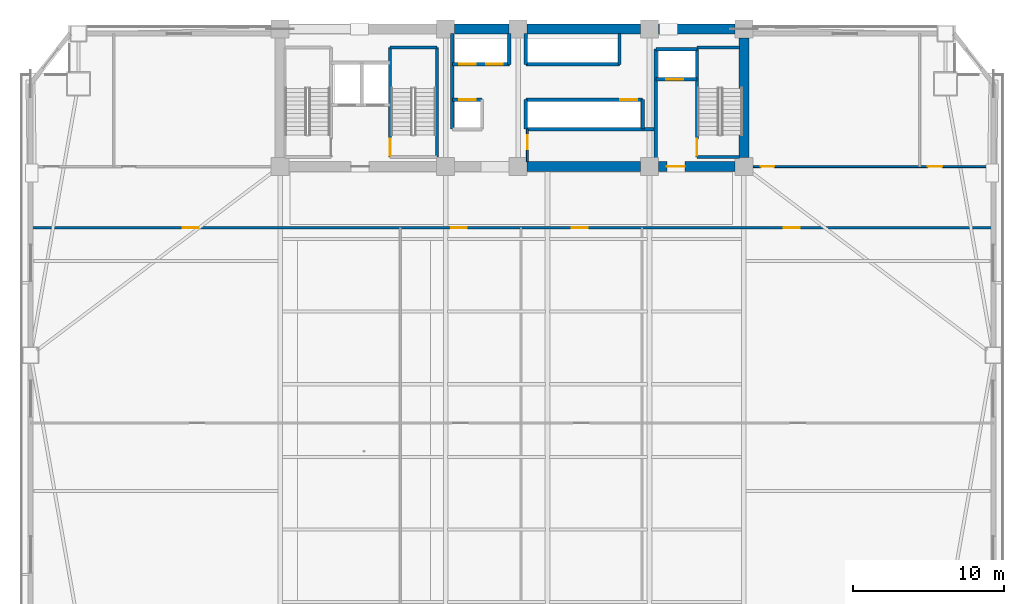
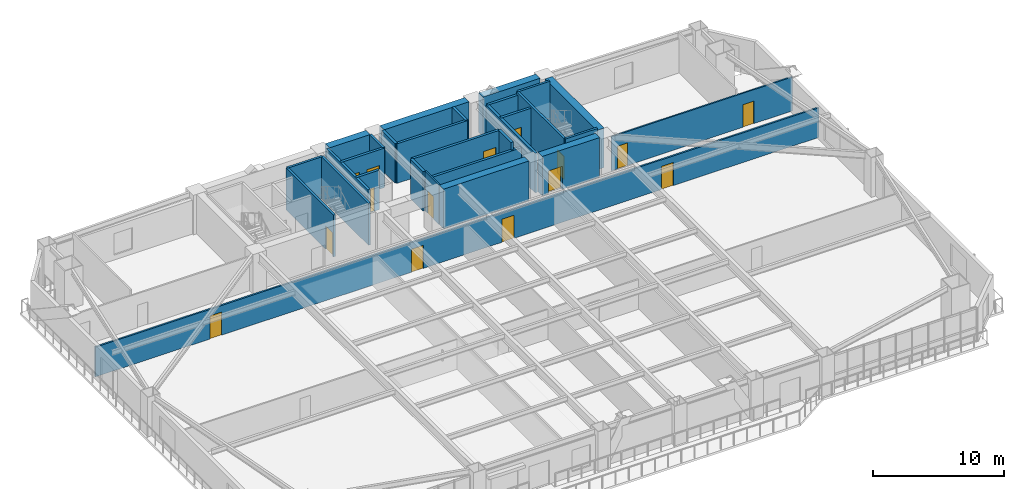
# One storey, part 10 of 17: 29 walls, 15 doors, 15 openings.
"""IFC4 building model written with IfcOpenShell, lengths in metres."""

from ifc_helpers import new_model, si_unit, direction, frame, frame_2d, origin, place, context, subcontext, project, spatial, rectangle, extrude, source, transform, mapped, material, layer, layer_set, type_object, element, fill, save


model = new_model("IFC4")

# Units and contexts
model_context = context("Model", 3, precision=1e-05, world=origin(), true_north=direction((0.0, 1.0)))
body_context = subcontext(model_context, "Body", "Model", "MODEL_VIEW")
ifc_project = project(units=[si_unit("LENGTHUNIT", "METRE"), si_unit("AREAUNIT", "SQUARE_METRE"), si_unit("VOLUMEUNIT", "CUBIC_METRE"), si_unit("PLANEANGLEUNIT", "RADIAN"), si_unit("MASSUNIT", "GRAM", prefix="KILO")], contexts=[model_context])

# Site, building, storey
site_placement = place(None, origin())
site = spatial("IfcSite", under=ifc_project, at=site_placement, CompositionType="ELEMENT")
building_placement = place(site_placement, origin())
building = spatial("IfcBuilding", under=site, at=building_placement, Name="Giltprow Tower", CompositionType="ELEMENT")
storey_placement = place(building_placement, frame((0.0, 0.0, 37.10009765625)))
storey = spatial("IfcBuildingStorey", under=building, at=storey_placement, Name="L09", CompositionType="ELEMENT", Elevation=37.10009765625)

# Wall, openings, doors
ifc_material_1 = material(Name="Gypsum stud partition", Category="gypsum")
ifc_layer_1 = layer(ifc_material_1, 0.14990234375, Name="Gypsum stud partition")
ifc_layer_set_1 = layer_set([ifc_layer_1], Name="Gypsum stud partition")
wall_type_1 = type_object("IfcWallType", Name="IW-CORR-150", PredefinedType="PARTITIONING", material=ifc_layer_set_1)
wall_1_placement = place(storey_placement, frame((3.3349609375, 33.39990234375, 0.0), z_axis=(0.0, 0.0, 1.0), x_axis=(1.0, 0.0, 0.0)))
wall_1 = element("IfcWall", 1, at=wall_1_placement, inside=storey, type_object=wall_type_1, Name="L09 Office Loop Corridor Wall", PredefinedType="PARTITIONING", context=body_context, shape_type="SweptSolid", body=[
    extrude(rectangle(XDim=63.72998046875, YDim=0.14990234375, at=frame_2d((31.864990234375, 0.0))), origin(), (0.0, 0.0, 1.0), 2.764892578125),
])
opening_1_placement = place(wall_1_placement, frame((10.072021484375, 0.0, 0.0)))
opening_1 = element("IfcOpeningElement", 2, at=opening_1_placement, cuts=wall_1, Name="Opening ID31", PredefinedType="OPENING", context=body_context, shape_type="SweptSolid", body=[
    extrude(rectangle(XDim=1.050048828125, YDim=2.14990234375, at=frame_2d((0.52490234375, 1.074951171875))), frame((0.0, 0.0849609375, 0.0), z_axis=(0.0, -1.0, 0.0), x_axis=(1.0, 0.0, 0.0)), (0.0, 0.0, 1.0), 0.169921875),
])
opening_2_placement = place(wall_1_placement, frame((27.8310546875, 0.0, 0.0)))
opening_2 = element("IfcOpeningElement", 3, at=opening_2_placement, cuts=wall_1, Name="Opening ID31", PredefinedType="OPENING", context=body_context, shape_type="SweptSolid", body=[
    extrude(rectangle(XDim=1.050048828125, YDim=2.14990234375, at=frame_2d((0.52490234375, 1.074951171875))), frame((0.0, 0.0849609375, 0.0), z_axis=(0.0, -1.0, 0.0), x_axis=(1.0, 0.0, 0.0)), (0.0, 0.0, 1.0), 0.169921875),
])
opening_3_placement = place(wall_1_placement, frame((35.8310546875, 0.0, 0.0)))
opening_3 = element("IfcOpeningElement", 4, at=opening_3_placement, cuts=wall_1, Name="Opening ID31", PredefinedType="OPENING", context=body_context, shape_type="SweptSolid", body=[
    extrude(rectangle(XDim=1.050048828125, YDim=2.14990234375, at=frame_2d((0.52490234375, 1.074951171875))), frame((0.0, 0.0849609375, 0.0), z_axis=(0.0, -1.0, 0.0), x_axis=(1.0, 0.0, 0.0)), (0.0, 0.0, 1.0), 0.169921875),
])
opening_4_placement = place(wall_1_placement, frame((49.85693359375, 0.0, 0.0)))
opening_4 = element("IfcOpeningElement", 5, at=opening_4_placement, cuts=wall_1, Name="Opening ID31", PredefinedType="OPENING", context=body_context, shape_type="SweptSolid", body=[
    extrude(rectangle(XDim=1.050048828125, YDim=2.14990234375, at=frame_2d((0.52490234375, 1.074951171875))), frame((0.0, 0.0849609375, 0.0), z_axis=(0.0, -1.0, 0.0), x_axis=(1.0, 0.0, 0.0)), (0.0, 0.0, 1.0), 0.169921875),
])
ifc_material_2 = material(Name="Engineered timber", Category="wood")
door_type_1 = type_object("IfcDoorType", Name="DR-SUITE-1050", OperationType="SINGLE_SWING_LEFT", PredefinedType="DOOR", material=ifc_material_2)
shared_shape_1 = source(origin(), body_context, "Body", "SweptSolid", [
    extrude(rectangle(XDim=1.050048828125, YDim=2.14990234375, at=frame_2d((0.52490234375, 1.074951171875))), frame((0.0, 0.02490234375, 0.0), z_axis=(0.0, -1.0, 0.0), x_axis=(1.0, 0.0, 0.0)), (0.0, 0.0, 1.0), 0.050048828125),
])
door_1_placement = place(opening_1_placement, origin())
door_1 = element("IfcDoor", 6, at=door_1_placement, inside=storey, type_object=door_type_1, Name="L09 Suite Reception Foyer Door", OperationType="SINGLE_SWING_LEFT", OverallHeight=2.14990234375, OverallWidth=1.050048828125, PredefinedType="DOOR", context=body_context, shape_type="MappedRepresentation", body=[
    mapped(shared_shape_1, transform((0.0, 0.0, 0.0), x_axis=(1.0, 0.0, 0.0), y_axis=(0.0, 1.0, 0.0), z_axis=(0.0, 0.0, 1.0), scale=1.0)),
])
fill(opening_1, door_1)
door_2_placement = place(opening_2_placement, origin())
door_2 = element("IfcDoor", 7, at=door_2_placement, inside=storey, type_object=door_type_1, Name="L09 Suite Reception Foyer Door", OperationType="SINGLE_SWING_LEFT", OverallHeight=2.14990234375, OverallWidth=1.050048828125, PredefinedType="DOOR", context=body_context, shape_type="MappedRepresentation", body=[
    mapped(shared_shape_1, transform((0.0, 0.0, 0.0), x_axis=(1.0, 0.0, 0.0), y_axis=(0.0, 1.0, 0.0), z_axis=(0.0, 0.0, 1.0), scale=1.0)),
])
fill(opening_2, door_2)
door_3_placement = place(opening_3_placement, origin())
door_3 = element("IfcDoor", 8, at=door_3_placement, inside=storey, type_object=door_type_1, Name="L09 Suite Reception Foyer Door", OperationType="SINGLE_SWING_LEFT", OverallHeight=2.14990234375, OverallWidth=1.050048828125, PredefinedType="DOOR", context=body_context, shape_type="MappedRepresentation", body=[
    mapped(shared_shape_1, transform((0.0, 0.0, 0.0), x_axis=(1.0, 0.0, 0.0), y_axis=(0.0, 1.0, 0.0), z_axis=(0.0, 0.0, 1.0), scale=1.0)),
])
fill(opening_3, door_3)
door_4_placement = place(opening_4_placement, origin())
door_4 = element("IfcDoor", 9, at=door_4_placement, inside=storey, type_object=door_type_1, Name="L09 Suite Reception Foyer Door", OperationType="SINGLE_SWING_LEFT", OverallHeight=2.14990234375, OverallWidth=1.050048828125, PredefinedType="DOOR", context=body_context, shape_type="MappedRepresentation", body=[
    mapped(shared_shape_1, transform((0.0, 0.0, 0.0), x_axis=(1.0, 0.0, 0.0), y_axis=(0.0, 1.0, 0.0), z_axis=(0.0, 0.0, 1.0), scale=1.0)),
])
fill(opening_4, door_4)

# Wall, opening, door
ifc_material_3 = material(Name="Concrete C40", Category="concrete")
ifc_layer_2 = layer(ifc_material_3, 0.219970703125, Name="Concrete C40")
ifc_layer_set_2 = layer_set([ifc_layer_2], Name="Concrete C40")
wall_type_2 = type_object("IfcWallType", Name="IW-SHAFT-220", PredefinedType="SOLIDWALL", material=ifc_layer_set_2)
wall_2_placement = place(storey_placement, frame((44.719970703125, 43.219970703125, 0.0), z_axis=(0.0, 0.0, 1.0), x_axis=(1.0, 0.0, 0.0)))
wall_2 = element("IfcWall", 10, at=wall_2_placement, inside=storey, type_object=wall_type_2, Name="L09 FFL2 Front Shaft Wall", PredefinedType="SOLIDWALL", context=body_context, shape_type="SweptSolid", body=[
    extrude(rectangle(XDim=2.719970703125, YDim=0.219970703125, at=frame_2d((1.35986328125, 0.0))), origin(), (0.0, 0.0, 1.0), 3.679931640625),
])
opening_5_placement = place(wall_2_placement, frame((0.699951171875, 0.0, 0.0)))
opening_5 = element("IfcOpeningElement", 11, at=opening_5_placement, cuts=wall_2, Name="Opening LD-11", PredefinedType="OPENING", context=body_context, shape_type="SweptSolid", body=[
    extrude(rectangle(XDim=1.10009765625, YDim=2.199951171875, at=frame_2d((0.550048828125, 1.10009765625))), frame((0.0, 0.119873046875, 0.0), z_axis=(0.0, -1.0, 0.0), x_axis=(1.0, 0.0, 0.0)), (0.0, 0.0, 1.0), 0.239990234375),
])
ifc_material_4 = material(Name="Stainless steel", Category="steel")
door_type_2 = type_object("IfcDoorType", Name="DR-LIFT-LD1100", OperationType="SLIDING_TO_LEFT", PredefinedType="DOOR", material=ifc_material_4)
shared_shape_2 = source(origin(), body_context, "Body", "SweptSolid", [
    extrude(rectangle(XDim=1.10009765625, YDim=2.199951171875, at=frame_2d((0.550048828125, 1.10009765625))), frame((0.0, 0.02490234375, 0.0), z_axis=(0.0, -1.0, 0.0), x_axis=(1.0, 0.0, 0.0)), (0.0, 0.0, 1.0), 0.050048828125),
])
door_5_placement = place(opening_5_placement, origin())
door_5 = element("IfcDoor", 12, at=door_5_placement, inside=storey, type_object=door_type_2, Name="L09 FFL2 Landing Door", OperationType="SLIDING_TO_LEFT", OverallHeight=2.199951171875, OverallWidth=1.10009765625, PredefinedType="DOOR", context=body_context, shape_type="MappedRepresentation", body=[
    mapped(shared_shape_2, transform((0.0, 0.0, 0.0), x_axis=(1.0, 0.0, 0.0), y_axis=(0.0, 1.0, 0.0), z_axis=(0.0, 0.0, 1.0), scale=1.0)),
])
fill(opening_5, door_5)

# Walls
wall_3_placement = place(storey_placement, frame((44.719970703125, 45.219970703125, 0.0), z_axis=(0.0, 0.0, 1.0), x_axis=(1.0, 0.0, 0.0)))
element("IfcWall", 13, at=wall_3_placement, inside=storey, type_object=wall_type_2, Name="L09 FFL2 Back Shaft Wall", PredefinedType="SOLIDWALL", context=body_context, shape_type="SweptSolid", body=[
    extrude(rectangle(XDim=2.719970703125, YDim=0.219970703125, at=frame_2d((1.35986328125, 0.0))), origin(), (0.0, 0.0, 1.0), 3.679931640625),
])
wall_4_placement = place(storey_placement, frame((44.719970703125, 37.7548828125, 0.0), z_axis=(0.0, 0.0, 1.0), x_axis=(0.0, 1.0, 0.0)))
element("IfcWall", 14, at=wall_4_placement, inside=storey, type_object=wall_type_2, Name="L09 East Firefighting Lobby West Wall", PredefinedType="SOLIDWALL", context=body_context, shape_type="SweptSolid", body=[
    extrude(rectangle(XDim=7.465087890625, YDim=0.219970703125, at=frame_2d((3.732421875, 0.0))), origin(), (0.0, 0.0, 1.0), 3.679931640625),
])

# Wall, openings, doors
wall_5_placement = place(storey_placement, frame((31.25, 44.219970703125, 0.0), z_axis=(0.0, 0.0, 1.0), x_axis=(1.0, 0.0, 0.0)))
wall_5 = element("IfcWall", 15, at=wall_5_placement, inside=storey, type_object=wall_type_2, Name="L09 North West Lift Shaft Front Wall", PredefinedType="SOLIDWALL", context=body_context, shape_type="SweptSolid", body=[
    extrude(rectangle(XDim=3.77001953125, YDim=0.219970703125, at=frame_2d((1.885009765625, 0.0))), origin(), (0.0, 0.0, 1.0), 3.679931640625),
])
opening_6_placement = place(wall_5_placement, frame((0.4599609375, 0.0, 0.0)))
opening_6 = element("IfcOpeningElement", 16, at=opening_6_placement, cuts=wall_5, Name="Opening LD-11", PredefinedType="OPENING", context=body_context, shape_type="SweptSolid", body=[
    extrude(rectangle(XDim=1.10009765625, YDim=2.199951171875, at=frame_2d((0.550048828125, 1.10009765625))), frame((0.0, 0.119873046875, 0.0), z_axis=(0.0, -1.0, 0.0), x_axis=(1.0, 0.0, 0.0)), (0.0, 0.0, 1.0), 0.239990234375),
])
opening_7_placement = place(wall_5_placement, frame((2.239990234375, 0.0, 0.0)))
opening_7 = element("IfcOpeningElement", 17, at=opening_7_placement, cuts=wall_5, Name="Opening LD-11", PredefinedType="OPENING", context=body_context, shape_type="SweptSolid", body=[
    extrude(rectangle(XDim=1.10009765625, YDim=2.199951171875, at=frame_2d((0.550048828125, 1.10009765625))), frame((0.0, 0.119873046875, 0.0), z_axis=(0.0, -1.0, 0.0), x_axis=(1.0, 0.0, 0.0)), (0.0, 0.0, 1.0), 0.239990234375),
])
door_6_placement = place(opening_6_placement, origin())
door_6 = element("IfcDoor", 18, at=door_6_placement, inside=storey, type_object=door_type_2, Name="L09 PL-L1 Landing Door", OperationType="SLIDING_TO_LEFT", OverallHeight=2.199951171875, OverallWidth=1.10009765625, PredefinedType="DOOR", context=body_context, shape_type="MappedRepresentation", body=[
    mapped(shared_shape_2, transform((0.0, 0.0, 0.0), x_axis=(1.0, 0.0, 0.0), y_axis=(0.0, 1.0, 0.0), z_axis=(0.0, 0.0, 1.0), scale=1.0)),
])
fill(opening_6, door_6)
door_7_placement = place(opening_7_placement, origin())
door_7 = element("IfcDoor", 19, at=door_7_placement, inside=storey, type_object=door_type_2, Name="L09 PL-L2 Landing Door", OperationType="SLIDING_TO_LEFT", OverallHeight=2.199951171875, OverallWidth=1.10009765625, PredefinedType="DOOR", context=body_context, shape_type="MappedRepresentation", body=[
    mapped(shared_shape_2, transform((0.0, 0.0, 0.0), x_axis=(1.0, 0.0, 0.0), y_axis=(0.0, 1.0, 0.0), z_axis=(0.0, 0.0, 1.0), scale=1.0)),
])
fill(opening_7, door_7)

# Walls
wall_6_placement = place(storey_placement, frame((36.1201171875, 44.219970703125, 0.0), z_axis=(0.0, 0.0, 1.0), x_axis=(1.0, 0.0, 0.0)))
element("IfcWall", 20, at=wall_6_placement, inside=storey, type_object=wall_type_2, Name="L09 North East Lift Shaft Front Wall", PredefinedType="SOLIDWALL", context=body_context, shape_type="SweptSolid", body=[
    extrude(rectangle(XDim=6.199951171875, YDim=0.219970703125, at=frame_2d((3.10009765625, 0.0))), origin(), (0.0, 0.0, 1.0), 3.679931640625),
])
for number, where, z_axis, x_axis, name in (
    (21, (35.02001953125, 44.219970703125, 0.0), (0.0, 0.0, 1.0), (0.0, 1.0, 0.0), "L09 North West Lift Shaft East Closure"),
    (22, (36.1201171875, 44.219970703125, 0.0), (0.0, 0.0, 1.0), (0.0, 1.0, 0.0), "L09 North East Lift Shaft West Closure"),
    (23, (42.320068359375, 44.219970703125, 0.0), (0.0, 0.0, 1.0), (0.0, 1.0, 0.0), "L09 North East Lift Shaft East Closure"),
):
    element("IfcWall", number, at=place(storey_placement, frame(where, z_axis=z_axis, x_axis=x_axis)), inside=storey, type_object=wall_type_2, Name=name, PredefinedType="SOLIDWALL", context=body_context, shape_type="SweptSolid", body=[
        extrude(rectangle(XDim=2.025146484375, YDim=0.219970703125, at=frame_2d((1.0126953125, 0.0))), origin(), (0.0, 0.0, 1.0), 3.679931640625),
    ])

# Wall, opening, door
wall_7_placement = place(storey_placement, frame((31.25, 41.8798828125, 0.0), z_axis=(0.0, 0.0, 1.0), x_axis=(1.0, 0.0, 0.0)))
wall_7 = element("IfcWall", 24, at=wall_7_placement, inside=storey, type_object=wall_type_2, Name="L09 South West Lift Shaft Front Wall", PredefinedType="SOLIDWALL", context=body_context, shape_type="SweptSolid", body=[
    extrude(rectangle(XDim=1.969970703125, YDim=0.219970703125, at=frame_2d((0.98486328125, 0.0))), origin(), (0.0, 0.0, 1.0), 3.679931640625),
])
opening_8_placement = place(wall_7_placement, frame((0.4599609375, 0.0, 0.0)))
opening_8 = element("IfcOpeningElement", 25, at=opening_8_placement, cuts=wall_7, Name="Opening LD-11", PredefinedType="OPENING", context=body_context, shape_type="SweptSolid", body=[
    extrude(rectangle(XDim=1.10009765625, YDim=2.199951171875, at=frame_2d((0.550048828125, 1.10009765625))), frame((0.0, 0.119873046875, 0.0), z_axis=(0.0, -1.0, 0.0), x_axis=(1.0, 0.0, 0.0)), (0.0, 0.0, 1.0), 0.239990234375),
])
door_8_placement = place(opening_8_placement, origin())
door_8 = element("IfcDoor", 26, at=door_8_placement, inside=storey, type_object=door_type_2, Name="L09 PL-L3 Landing Door", OperationType="SLIDING_TO_LEFT", OverallHeight=2.199951171875, OverallWidth=1.10009765625, PredefinedType="DOOR", context=body_context, shape_type="MappedRepresentation", body=[
    mapped(shared_shape_2, transform((0.0, 0.0, 0.0), x_axis=(1.0, 0.0, 0.0), y_axis=(0.0, 1.0, 0.0), z_axis=(0.0, 0.0, 1.0), scale=1.0)),
])
fill(opening_8, door_8)

wall_8_placement = place(storey_placement, frame((36.1201171875, 41.8798828125, 0.0), z_axis=(0.0, 0.0, 1.0), x_axis=(1.0, 0.0, 0.0)))
wall_8 = element("IfcWall", 27, at=wall_8_placement, inside=storey, type_object=wall_type_2, Name="L09 South East Lift Shaft Front Wall", PredefinedType="SOLIDWALL", context=body_context, shape_type="SweptSolid", body=[
    extrude(rectangle(XDim=7.72998046875, YDim=0.219970703125, at=frame_2d((3.864990234375, 0.0))), origin(), (0.0, 0.0, 1.0), 3.679931640625),
])
opening_9_placement = place(wall_8_placement, frame((6.260009765625, 0.0, 0.0)))
opening_9 = element("IfcOpeningElement", 28, at=opening_9_placement, cuts=wall_8, Name="Opening LD-11", PredefinedType="OPENING", context=body_context, shape_type="SweptSolid", body=[
    extrude(rectangle(XDim=1.10009765625, YDim=2.199951171875, at=frame_2d((0.550048828125, 1.10009765625))), frame((0.0, 0.119873046875, 0.0), z_axis=(0.0, -1.0, 0.0), x_axis=(1.0, 0.0, 0.0)), (0.0, 0.0, 1.0), 0.239990234375),
])
door_9_placement = place(opening_9_placement, origin())
door_9 = element("IfcDoor", 29, at=door_9_placement, inside=storey, type_object=door_type_2, Name="L09 PL-L4 Landing Door", OperationType="SLIDING_TO_LEFT", OverallHeight=2.199951171875, OverallWidth=1.10009765625, PredefinedType="DOOR", context=body_context, shape_type="MappedRepresentation", body=[
    mapped(shared_shape_2, transform((0.0, 0.0, 0.0), x_axis=(1.0, 0.0, 0.0), y_axis=(0.0, 1.0, 0.0), z_axis=(0.0, 0.0, 1.0), scale=1.0)),
])
fill(opening_9, door_9)

# Walls
wall_9_placement = place(storey_placement, frame((36.1201171875, 39.919921875, 0.0), z_axis=(0.0, 0.0, 1.0), x_axis=(1.0, 0.0, 0.0)))
element("IfcWall", 30, at=wall_9_placement, inside=storey, type_object=wall_type_2, Name="L09 Express South Shaft Back Wall", PredefinedType="SOLIDWALL", context=body_context, shape_type="SweptSolid", body=[
    extrude(rectangle(XDim=8.599853515625, YDim=0.219970703125, at=frame_2d((4.2998046875, 0.0))), origin(), (0.0, 0.0, 1.0), 2.96484375),
])
wall_10_placement = place(storey_placement, frame((36.1201171875, 39.919921875, 0.0), z_axis=(0.0, 0.0, 1.0), x_axis=(0.0, 1.0, 0.0)))
element("IfcWall", 31, at=wall_10_placement, inside=storey, type_object=wall_type_2, Name="L09 Express South Shaft West Closure", PredefinedType="SOLIDWALL", context=body_context, shape_type="SweptSolid", body=[
    extrude(rectangle(XDim=1.9599609375, YDim=0.219970703125, at=frame_2d((0.97998046875, 0.0))), origin(), (0.0, 0.0, 1.0), 3.679931640625),
])
wall_11_placement = place(storey_placement, frame((31.25, 39.919921875, 0.0), z_axis=(0.0, 0.0, 1.0), x_axis=(0.0, 1.0, 0.0)))
element("IfcWall", 32, at=wall_11_placement, inside=storey, type_object=wall_type_2, Name="L09 Lift Bank West Closure", PredefinedType="SOLIDWALL", context=body_context, shape_type="SweptSolid", body=[
    extrude(rectangle(XDim=6.3251953125, YDim=0.219970703125, at=frame_2d((3.16259765625, 0.0))), origin(), (0.0, 0.0, 1.0), 3.679931640625),
])
wall_12_placement = place(storey_placement, frame((43.85009765625, 39.919921875, 0.0), z_axis=(0.0, 0.0, 1.0), x_axis=(0.0, 1.0, 0.0)))
element("IfcWall", 33, at=wall_12_placement, inside=storey, type_object=wall_type_2, Name="L09 Lift Bank South-East Closure", PredefinedType="SOLIDWALL", context=body_context, shape_type="SweptSolid", body=[
    extrude(rectangle(XDim=1.9599609375, YDim=0.219970703125, at=frame_2d((0.97998046875, 0.0))), origin(), (0.0, 0.0, 1.0), 3.679931640625),
])

# Wall, opening, door
ifc_layer_3 = layer(ifc_material_3, 0.199951171875, Name="Concrete C40")
ifc_layer_set_3 = layer_set([ifc_layer_3], Name="Concrete C40")
wall_type_3 = type_object("IfcWallType", Name="IW-STAIR-200", PredefinedType="SOLIDWALL", material=ifc_layer_set_3)
wall_13_placement = place(storey_placement, frame((27.139892578125, 38.070068359375, 0.0), z_axis=(0.0, 0.0, 1.0), x_axis=(0.0, 1.0, 0.0)))
wall_13 = element("IfcWall", 34, at=wall_13_placement, inside=storey, type_object=wall_type_3, Name="L09 Stair ST-2 West Bearing Wall", PredefinedType="SOLIDWALL", context=body_context, shape_type="SweptSolid", body=[
    extrude(rectangle(XDim=7.25, YDim=0.199951171875, at=frame_2d((3.625, 0.0))), origin(), (0.0, 0.0, 1.0), 3.89990234375),
])
opening_10_placement = place(wall_13_placement, frame((0.110107421875, 0.0, 0.0)))
opening_10 = element("IfcOpeningElement", 35, at=opening_10_placement, cuts=wall_13, Name="Opening ID33", PredefinedType="OPENING", context=body_context, shape_type="SweptSolid", body=[
    extrude(rectangle(XDim=1.10009765625, YDim=2.14990234375, at=frame_2d((0.550048828125, 1.074951171875))), frame((0.0, 0.10986328125, 0.0), z_axis=(0.0, -1.0, 0.0), x_axis=(1.0, 0.0, 0.0)), (0.0, 0.0, 1.0), 0.219970703125),
])
ifc_material_5 = material(Name="Steel fire leaf", Category="steel")
door_type_3 = type_object("IfcDoorType", Name="DR-STAIR-1100", OperationType="SINGLE_SWING_LEFT", PredefinedType="DOOR", material=ifc_material_5)
shared_shape_3 = source(origin(), body_context, "Body", "SweptSolid", [
    extrude(rectangle(XDim=1.10009765625, YDim=2.14990234375, at=frame_2d((0.550048828125, 1.074951171875))), frame((0.0, 0.02490234375, 0.0), z_axis=(0.0, -1.0, 0.0), x_axis=(1.0, 0.0, 0.0)), (0.0, 0.0, 1.0), 0.050048828125),
])
door_10_placement = place(opening_10_placement, origin())
door_10 = element("IfcDoor", 36, at=door_10_placement, inside=storey, type_object=door_type_3, Name="L09 Stair ST-2 Fire Door", OperationType="SINGLE_SWING_RIGHT", OverallHeight=2.14990234375, OverallWidth=1.10009765625, PredefinedType="DOOR", context=body_context, shape_type="MappedRepresentation", body=[
    mapped(shared_shape_3, transform((0.0, 0.0, 0.0), x_axis=(1.0, 0.0, 0.0), y_axis=(0.0, 1.0, 0.0), z_axis=(0.0, 0.0, 1.0), scale=1.0)),
])
fill(opening_10, door_10)

# Walls
wall_14_placement = place(storey_placement, frame((30.219970703125, 38.070068359375, 0.0), z_axis=(0.0, 0.0, 1.0), x_axis=(0.0, 1.0, 0.0)))
element("IfcWall", 37, at=wall_14_placement, inside=storey, type_object=wall_type_3, Name="L09 Stair ST-2 East Bearing Wall", PredefinedType="SOLIDWALL", context=body_context, shape_type="SweptSolid", body=[
    extrude(rectangle(XDim=7.25, YDim=0.199951171875, at=frame_2d((3.625, 0.0))), origin(), (0.0, 0.0, 1.0), 3.89990234375),
])
wall_15_placement = place(storey_placement, frame((27.139892578125, 45.320068359375, 0.0), z_axis=(0.0, 0.0, 1.0), x_axis=(1.0, 0.0, 0.0)))
element("IfcWall", 38, at=wall_15_placement, inside=storey, type_object=wall_type_3, Name="L09 Stair ST-2 North Bearing Wall", PredefinedType="SOLIDWALL", context=body_context, shape_type="SweptSolid", body=[
    extrude(rectangle(XDim=3.080078125, YDim=0.199951171875, at=frame_2d((1.5400390625, 0.0))), origin(), (0.0, 0.0, 1.0), 3.89990234375),
])

# Wall, opening, door
wall_16_placement = place(storey_placement, frame((47.43994140625, 38.070068359375, 0.0), z_axis=(0.0, 0.0, 1.0), x_axis=(0.0, 1.0, 0.0)))
wall_16 = element("IfcWall", 39, at=wall_16_placement, inside=storey, type_object=wall_type_3, Name="L09 Stair ST-3 West Bearing Wall", PredefinedType="SOLIDWALL", context=body_context, shape_type="SweptSolid", body=[
    extrude(rectangle(XDim=7.25, YDim=0.199951171875, at=frame_2d((3.625, 0.0))), origin(), (0.0, 0.0, 1.0), 3.89990234375),
])
opening_11_placement = place(wall_16_placement, frame((0.110107421875, 0.0, 0.0)))
opening_11 = element("IfcOpeningElement", 40, at=opening_11_placement, cuts=wall_16, Name="Opening ID33", PredefinedType="OPENING", context=body_context, shape_type="SweptSolid", body=[
    extrude(rectangle(XDim=1.10009765625, YDim=2.14990234375, at=frame_2d((0.550048828125, 1.074951171875))), frame((0.0, 0.10986328125, 0.0), z_axis=(0.0, -1.0, 0.0), x_axis=(1.0, 0.0, 0.0)), (0.0, 0.0, 1.0), 0.219970703125),
])
door_11_placement = place(opening_11_placement, origin())
door_11 = element("IfcDoor", 41, at=door_11_placement, inside=storey, type_object=door_type_3, Name="L09 Stair ST-3 Fire Door", OperationType="SINGLE_SWING_LEFT", OverallHeight=2.14990234375, OverallWidth=1.10009765625, PredefinedType="DOOR", context=body_context, shape_type="MappedRepresentation", body=[
    mapped(shared_shape_3, transform((0.0, 0.0, 0.0), x_axis=(1.0, 0.0, 0.0), y_axis=(0.0, 1.0, 0.0), z_axis=(0.0, 0.0, 1.0), scale=1.0)),
])
fill(opening_11, door_11)

# Walls
for number, where, z_axis, x_axis, name in (
    (42, (47.43994140625, 45.320068359375, 0.0), (0.0, 0.0, 1.0), (1.0, 0.0, 0.0), "L09 Stair ST-3 North Bearing Wall"),
    (43, (47.43994140625, 38.070068359375, 0.0), (0.0, 0.0, 1.0), (1.0, 0.0, 0.0), "L09 Stair ST-3 South Bearing Wall"),
):
    element("IfcWall", number, at=place(storey_placement, frame(where, z_axis=z_axis, x_axis=x_axis)), inside=storey, type_object=wall_type_3, Name=name, PredefinedType="SOLIDWALL", context=body_context, shape_type="SweptSolid", body=[
        extrude(rectangle(XDim=2.80517578125, YDim=0.199951171875, at=frame_2d((1.402587890625, 0.0))), origin(), (0.0, 0.0, 1.0), 3.89990234375),
    ])

# Wall, opening, door
ifc_material_6 = material(Name="Concrete C30", Category="concrete")
ifc_layer_4 = layer(ifc_material_6, 0.1298828125, Name="Concrete C30")
ifc_layer_set_4 = layer_set([ifc_layer_4], Name="Concrete C30")
wall_type_4 = type_object("IfcWallType", Name="IW-WET-130", PredefinedType="PARTITIONING", material=ifc_layer_set_4)
wall_17_placement = place(storey_placement, frame((36.219970703125, 37.7548828125, 0.0), z_axis=(0.0, 0.0, 1.0), x_axis=(0.0, 1.0, 0.0)))
wall_17 = element("IfcWall", 44, at=wall_17_placement, inside=storey, type_object=wall_type_4, Name="L09 Core Suite West Wall", PredefinedType="PARTITIONING", context=body_context, shape_type="SweptSolid", body=[
    extrude(rectangle(XDim=2.1650390625, YDim=0.1298828125, at=frame_2d((1.08251953125, 0.0))), origin(), (0.0, 0.0, 1.0), 3.679931640625),
])
opening_12_placement = place(wall_17_placement, frame((0.85498046875, 0.0, 0.0)))
opening_12 = element("IfcOpeningElement", 45, at=opening_12_placement, cuts=wall_17, Name="Opening ID35", PredefinedType="OPENING", context=body_context, shape_type="SweptSolid", body=[
    extrude(rectangle(XDim=0.89990234375, YDim=2.10009765625, at=frame_2d((0.449951171875, 1.050048828125))), frame((0.0, 0.074951171875, 0.0), z_axis=(0.0, -1.0, 0.0), x_axis=(1.0, 0.0, 0.0)), (0.0, 0.0, 1.0), 0.14990234375),
])
door_type_4 = type_object("IfcDoorType", Name="DR-SHAFT-900", OperationType="SINGLE_SWING_LEFT", PredefinedType="DOOR", material=ifc_material_5)
shared_shape_4 = source(origin(), body_context, "Body", "SweptSolid", [
    extrude(rectangle(XDim=0.89990234375, YDim=2.10009765625, at=frame_2d((0.449951171875, 1.050048828125))), frame((0.0, 0.02490234375, 0.0), z_axis=(0.0, -1.0, 0.0), x_axis=(1.0, 0.0, 0.0)), (0.0, 0.0, 1.0), 0.050048828125),
])
door_12_placement = place(opening_12_placement, origin())
door_12 = element("IfcDoor", 46, at=door_12_placement, inside=storey, type_object=door_type_4, Name="L09 Core Staff Washroom Door", OperationType="SINGLE_SWING_RIGHT", OverallHeight=2.10009765625, OverallWidth=0.89990234375, PredefinedType="DOOR", context=body_context, shape_type="MappedRepresentation", body=[
    mapped(shared_shape_4, transform((0.0, 0.0, 0.0), x_axis=(1.0, 0.0, 0.0), y_axis=(0.0, 1.0, 0.0), z_axis=(0.0, 0.0, 1.0), scale=1.0)),
])
fill(opening_12, door_12)

# Wall, openings, doors
wall_18_placement = place(storey_placement, frame((51.14990234375, 37.449951171875, 0.0), z_axis=(0.0, 0.0, 1.0), x_axis=(1.0, 0.0, 0.0)))
wall_18 = element("IfcWall", 47, at=wall_18_placement, inside=storey, type_object=wall_type_4, Name="L09 NE Wing South Wall", PredefinedType="PARTITIONING", context=body_context, shape_type="SweptSolid", body=[
    extrude(rectangle(XDim=15.9150390625, YDim=0.1298828125, at=frame_2d((7.95751953125, 0.0))), origin(), (0.0, 0.0, 1.0), 3.164794921875),
])
opening_13_placement = place(wall_18_placement, frame((0.5, 0.0, 0.0)))
opening_13 = element("IfcOpeningElement", 48, at=opening_13_placement, cuts=wall_18, Name="Opening ID15", PredefinedType="OPENING", context=body_context, shape_type="SweptSolid", body=[
    extrude(rectangle(XDim=0.89990234375, YDim=2.10009765625, at=frame_2d((0.449951171875, 1.050048828125))), frame((0.0, 0.074951171875, 0.0), z_axis=(0.0, -1.0, 0.0), x_axis=(1.0, 0.0, 0.0)), (0.0, 0.0, 1.0), 0.14990234375),
])
opening_14_placement = place(wall_18_placement, frame((11.580078125, 0.0, 0.0)))
opening_14 = element("IfcOpeningElement", 49, at=opening_14_placement, cuts=wall_18, Name="Opening ID11", PredefinedType="OPENING", context=body_context, shape_type="SweptSolid", body=[
    extrude(rectangle(XDim=0.949951171875, YDim=2.10009765625, at=frame_2d((0.47509765625, 1.050048828125))), frame((0.0, 0.074951171875, 0.0), z_axis=(0.0, -1.0, 0.0), x_axis=(1.0, 0.0, 0.0)), (0.0, 0.0, 1.0), 0.14990234375),
])
door_type_5 = type_object("IfcDoorType", Name="DR-WC-900", OperationType="SINGLE_SWING_LEFT", PredefinedType="DOOR", material=ifc_material_2)
door_13_placement = place(opening_13_placement, origin())
door_13 = element("IfcDoor", 50, at=door_13_placement, inside=storey, type_object=door_type_5, Name="L09 East Wing Washroom Door", OperationType="SINGLE_SWING_RIGHT", OverallHeight=2.10009765625, OverallWidth=0.89990234375, PredefinedType="DOOR", context=body_context, shape_type="MappedRepresentation", body=[
    mapped(shared_shape_4, transform((0.0, 0.0, 0.0), x_axis=(1.0, 0.0, 0.0), y_axis=(0.0, 1.0, 0.0), z_axis=(0.0, 0.0, 1.0), scale=1.0)),
])
fill(opening_13, door_13)
door_type_6 = type_object("IfcDoorType", Name="DR-ROOM-950", OperationType="SINGLE_SWING_RIGHT", PredefinedType="DOOR", material=ifc_material_2)
shared_shape_5 = source(origin(), body_context, "Body", "SweptSolid", [
    extrude(rectangle(XDim=0.949951171875, YDim=2.10009765625, at=frame_2d((0.47509765625, 1.050048828125))), frame((0.0, 0.02490234375, 0.0), z_axis=(0.0, -1.0, 0.0), x_axis=(1.0, 0.0, 0.0)), (0.0, 0.0, 1.0), 0.050048828125),
])
door_14_placement = place(opening_14_placement, origin())
door_14 = element("IfcDoor", 51, at=door_14_placement, inside=storey, type_object=door_type_6, Name="L09 East Tenant Archive Store Door", OperationType="SINGLE_SWING_RIGHT", OverallHeight=2.10009765625, OverallWidth=0.949951171875, PredefinedType="DOOR", context=body_context, shape_type="MappedRepresentation", body=[
    mapped(shared_shape_5, transform((0.0, 0.0, 0.0), x_axis=(1.0, 0.0, 0.0), y_axis=(0.0, 1.0, 0.0), z_axis=(0.0, 0.0, 1.0), scale=1.0)),
])
fill(opening_14, door_14)

# Walls
ifc_material_7 = material(Name="Concrete C60", Category="concrete")
ifc_layer_5 = layer(ifc_material_7, 0.64990234375, Name="Concrete C60")
ifc_layer_set_5 = layer_set([ifc_layer_5], Name="Concrete C60")
wall_type_5 = type_object("IfcWallType", Name="SW-EXT-650-C60", PredefinedType="SHEAR", material=ifc_layer_set_5)
wall_19_placement = place(storey_placement, frame((31.39990234375, 46.550048828125, 0.0), z_axis=(0.0, 0.0, 1.0), x_axis=(1.0, 0.0, 0.0)))
element("IfcWall", 52, at=wall_19_placement, inside=storey, type_object=wall_type_5, Name="L09 North Rear Core Shear Wall 2", PredefinedType="SHEAR", context=body_context, shape_type="SweptSolid", body=[
    extrude(rectangle(XDim=3.60009765625, YDim=0.64990234375, at=frame_2d((1.800048828125, 0.0))), origin(), (0.0, 0.0, 1.0), 3.679931640625),
])
wall_20_placement = place(storey_placement, frame((36.199951171875, 46.550048828125, 0.0), z_axis=(0.0, 0.0, 1.0), x_axis=(1.0, 0.0, 0.0)))
element("IfcWall", 53, at=wall_20_placement, inside=storey, type_object=wall_type_5, Name="L09 North Rear Core Shear Wall 3", PredefinedType="SHEAR", context=body_context, shape_type="SweptSolid", body=[
    extrude(rectangle(XDim=7.5, YDim=0.64990234375, at=frame_2d((3.75, 0.0))), origin(), (0.0, 0.0, 1.0), 3.679931640625),
])
wall_21_placement = place(storey_placement, frame((44.89990234375, 46.550048828125, 0.0), z_axis=(0.0, 0.0, 1.0), x_axis=(1.0, 0.0, 0.0)))
element("IfcWall", 54, at=wall_21_placement, inside=storey, type_object=wall_type_5, Name="L09 North Rear Core Shear Wall 4", PredefinedType="SHEAR", context=body_context, shape_type="SweptSolid", body=[
    extrude(rectangle(XDim=5.050048828125, YDim=0.64990234375, at=frame_2d((2.52490234375, 0.0))), origin(), (0.0, 0.0, 1.0), 3.679931640625),
])
ifc_layer_6 = layer(ifc_material_7, 0.64990234375, Name="Concrete C60")
ifc_layer_set_6 = layer_set([ifc_layer_6], Name="Concrete C60")
wall_type_6 = type_object("IfcWallType", Name="SW-INT-650-C60", PredefinedType="SHEAR", material=ifc_layer_set_6)
wall_22_placement = place(storey_placement, frame((36.199951171875, 37.449951171875, 0.0), z_axis=(0.0, 0.0, 1.0), x_axis=(1.0, 0.0, 0.0)))
element("IfcWall", 55, at=wall_22_placement, inside=storey, type_object=wall_type_6, Name="L09 South Rear Core Shear Wall Mid-East", PredefinedType="SHEAR", context=body_context, shape_type="SweptSolid", body=[
    extrude(rectangle(XDim=7.5, YDim=0.64990234375, at=frame_2d((3.75, 0.0))), origin(), (0.0, 0.0, 1.0), 3.679931640625),
])

# Wall, opening, door
wall_23_placement = place(storey_placement, frame((44.89990234375, 37.449951171875, 0.0), z_axis=(0.0, 0.0, 1.0), x_axis=(1.0, 0.0, 0.0)))
wall_23 = element("IfcWall", 56, at=wall_23_placement, inside=storey, type_object=wall_type_6, Name="L09 South Rear Core Shear Wall East", PredefinedType="SHEAR", context=body_context, shape_type="SweptSolid", body=[
    extrude(rectangle(XDim=5.050048828125, YDim=0.64990234375, at=frame_2d((2.52490234375, 0.0))), origin(), (0.0, 0.0, 1.0), 3.679931640625),
])
opening_15_placement = place(wall_23_placement, frame((0.550048828125, 0.0, 0.0)))
opening_15 = element("IfcOpeningElement", 57, at=opening_15_placement, cuts=wall_23, Name="Opening ID19", PredefinedType="OPENING", context=body_context, shape_type="SweptSolid", body=[
    extrude(rectangle(XDim=1.199951171875, YDim=2.14990234375, at=frame_2d((0.60009765625, 1.074951171875))), frame((0.0, 0.3349609375, 0.0), z_axis=(0.0, -1.0, 0.0), x_axis=(1.0, 0.0, 0.0)), (0.0, 0.0, 1.0), 0.669921875),
])
door_type_7 = type_object("IfcDoorType", Name="DR-FFLOBBY-1200", OperationType="SINGLE_SWING_RIGHT", PredefinedType="DOOR", material=ifc_material_5)
shared_shape_6 = source(origin(), body_context, "Body", "SweptSolid", [
    extrude(rectangle(XDim=1.199951171875, YDim=2.14990234375, at=frame_2d((0.60009765625, 1.074951171875))), frame((0.0, 0.02490234375, 0.0), z_axis=(0.0, -1.0, 0.0), x_axis=(1.0, 0.0, 0.0)), (0.0, 0.0, 1.0), 0.050048828125),
])
door_15_placement = place(opening_15_placement, origin())
door_15 = element("IfcDoor", 58, at=door_15_placement, inside=storey, type_object=door_type_7, Name="L09 East Firefighting Lobby Entry Door", OperationType="SINGLE_SWING_RIGHT", OverallHeight=2.14990234375, OverallWidth=1.199951171875, PredefinedType="DOOR", context=body_context, shape_type="MappedRepresentation", body=[
    mapped(shared_shape_6, transform((0.0, 0.0, 0.0), x_axis=(1.0, 0.0, 0.0), y_axis=(0.0, 1.0, 0.0), z_axis=(0.0, 0.0, 1.0), scale=1.0)),
])
fill(opening_15, door_15)

# Wall
wall_24_placement = place(storey_placement, frame((50.550048828125, 38.050048828125, 0.0), z_axis=(0.0, 0.0, 1.0), x_axis=(0.0, 1.0, 0.0)))
element("IfcWall", 59, at=wall_24_placement, inside=storey, type_object=wall_type_6, Name="L09 E Rear Core Shear Wall", PredefinedType="SHEAR", context=body_context, shape_type="SweptSolid", body=[
    extrude(rectangle(XDim=7.89990234375, YDim=0.64990234375, at=frame_2d((3.949951171875, 0.0))), origin(), (0.0, 0.0, 1.0), 3.679931640625),
])

save(model, "model.ifc")
